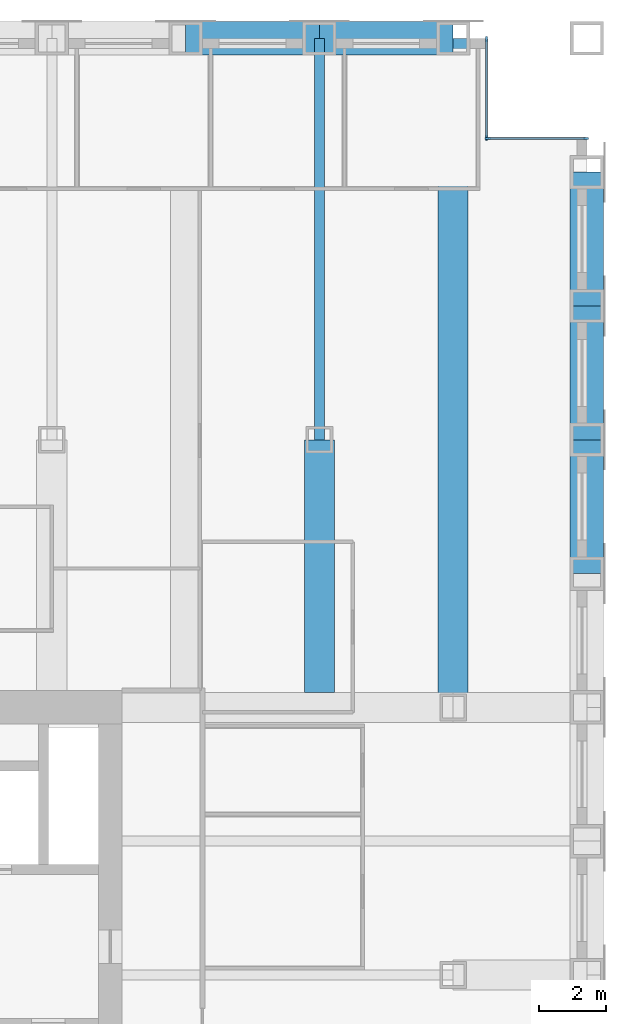
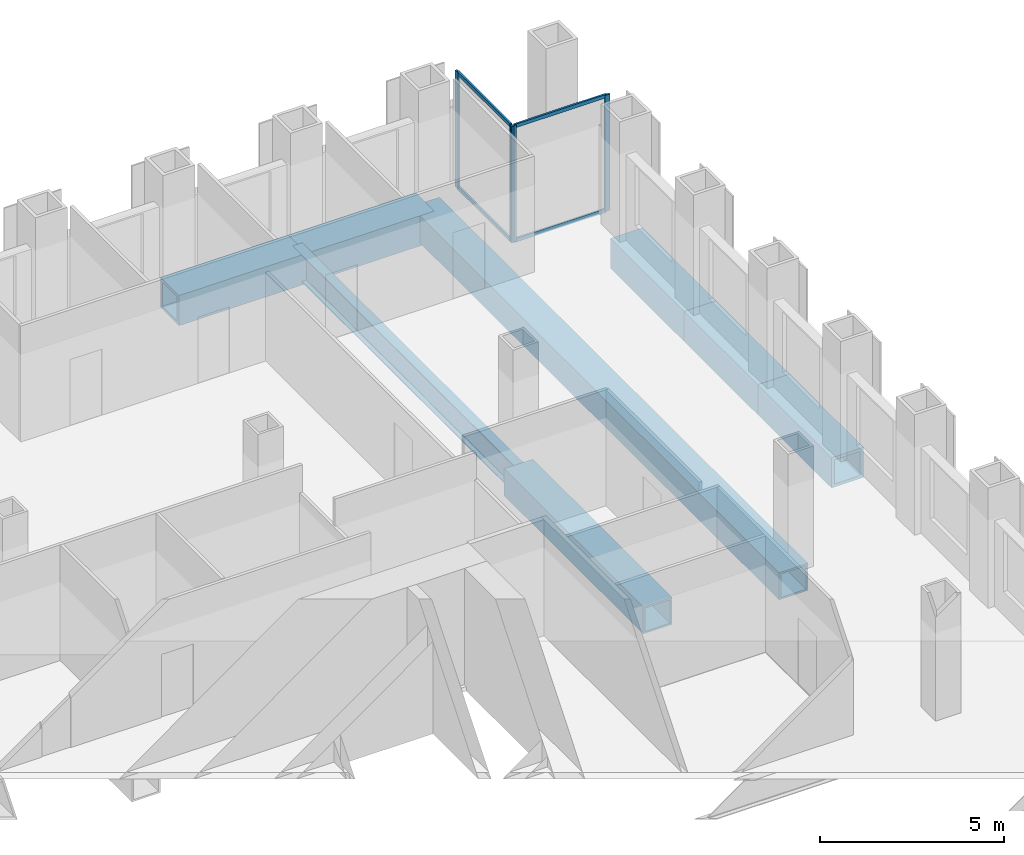
# One storey, part 7 of 13: 8 beams, 8 members, 2 elements without a shape of their own.
"""IFC4 building model written with IfcOpenShell, lengths in metres."""

from ifc_helpers import new_model, si_unit, direction, frame, origin, origin_2d, place, context, subcontext, project, spatial, rectangle, hollow_rectangle, i_section, extrude, material, material_profile, profile_set, type_object, element, aggregate, save


model = new_model("IFC4")

# Units and contexts
model_context = context("Model", 3, precision=1e-05, world=origin(), true_north=direction((0.0, 1.0)))
body_context = subcontext(model_context, "Body", "Model", "MODEL_VIEW")
ifc_project = project(units=[si_unit("LENGTHUNIT", "METRE"), si_unit("AREAUNIT", "SQUARE_METRE"), si_unit("VOLUMEUNIT", "CUBIC_METRE"), si_unit("PLANEANGLEUNIT", "RADIAN"), si_unit("MASSUNIT", "GRAM", prefix="KILO")], contexts=[model_context])

# Site, building, storey
site_placement = place(None, origin())
site = spatial("IfcSite", under=ifc_project, at=site_placement, CompositionType="ELEMENT")
building_placement = place(site_placement, origin())
building = spatial("IfcBuilding", under=site, at=building_placement, Name="Rimbunsela Tower", CompositionType="ELEMENT")
storey_placement = place(building_placement, frame((0.0, 0.0, 222.199951171875)))
storey = spatial("IfcBuildingStorey", under=building, at=storey_placement, Name="L53", CompositionType="ELEMENT", Elevation=222.199951171875)

# Beams
ifc_material_1 = material(Name="Steel BJ 55 (fy 410 MPa)", Category="steel")
ifc_material_profile_1 = material_profile(ifc_material_1, hollow_rectangle(XDim=1.0, YDim=1.0, WallThickness=0.10009765625, at=origin_2d()), Name="BOX 1000x1000x100")
ifc_profile_set_1 = profile_set([ifc_material_profile_1], Name="Steel BJ 55 (fy 410 MPa)")
beam_type_1 = type_object("IfcBeamType", Name="Beam BOX 1000x1000x100", PredefinedType="BEAM", material=ifc_profile_set_1)
for number, where, z_axis, x_axis, name in (
    (1, (38.0, 56.0, -0.64990234375), (1.0, 0.0, 0.0), (0.0, 1.0, 0.0), "Beam B3 L53"),
    (2, (42.0, 56.0, -0.64990234375), (1.0, 0.0, 0.0), (0.0, 1.0, 0.0), "Beam B3 L53"),
    (3, (50.0, 40.0, -0.64990234375), (0.0, 1.0, 0.0), (-1.0, 0.0, 0.0), "Beam B3 L53"),
    (4, (50.0, 44.0, -0.64990234375), (0.0, 1.0, 0.0), (-1.0, 0.0, 0.0), "Beam B3 L53"),
    (5, (50.0, 48.0, -0.64990234375), (0.0, 1.0, 0.0), (-1.0, 0.0, 0.0), "Beam B3 L53"),
):
    element("IfcBeam", number, at=place(storey_placement, frame(where, z_axis=z_axis, x_axis=x_axis)), inside=storey, type_object=beam_type_1, Name=name, PredefinedType="BEAM", context=body_context, shape_type="SweptSolid", body=[
        extrude(hollow_rectangle(XDim=1.0, YDim=1.0, WallThickness=0.10009765625, at=origin_2d()), origin(), (0.0, 0.0, 1.0), 4.0),
    ])
ifc_material_2 = material(Name="Steel BJ 55 (fy 410 MPa)", Category="steel")
ifc_material_profile_2 = material_profile(ifc_material_2, hollow_rectangle(XDim=0.89990234375, YDim=0.89990234375, WallThickness=0.06005859375, at=origin_2d()), Name="BOX 900x900x60")
ifc_profile_set_2 = profile_set([ifc_material_profile_2], Name="Steel BJ 55 (fy 410 MPa)")
beam_type_2 = type_object("IfcBeamType", Name="Beam BOX 900x900x60", PredefinedType="BEAM", material=ifc_profile_set_2)
beam_1_placement = place(storey_placement, frame((42.0, 36.449951171875, -0.599853515625), z_axis=(0.0, 1.0, 0.0), x_axis=(-1.0, 0.0, 0.0)))
element("IfcBeam", 6, at=beam_1_placement, inside=storey, type_object=beam_type_2, Name="Beam B1 L53", PredefinedType="BEAM", context=body_context, shape_type="SweptSolid", body=[
    extrude(hollow_rectangle(XDim=0.89990234375, YDim=0.89990234375, WallThickness=0.06005859375, at=origin_2d()), origin(), (0.0, 0.0, 1.0), 7.550048828125),
])
beam_2_placement = place(storey_placement, frame((46.0, 36.0, -0.599853515625), z_axis=(0.0, 1.0, 0.0), x_axis=(-1.0, 0.0, 0.0)))
element("IfcBeam", 7, at=beam_2_placement, inside=storey, type_object=beam_type_2, Name="Beam B1 L53", PredefinedType="BEAM", context=body_context, shape_type="SweptSolid", body=[
    extrude(hollow_rectangle(XDim=0.89990234375, YDim=0.89990234375, WallThickness=0.06005859375, at=origin_2d()), origin(), (0.0, 0.0, 1.0), 20.0),
])
ifc_material_3 = material(Name="Steel BJ 55 (fy 410 MPa)", Category="steel")
ifc_material_profile_3 = material_profile(ifc_material_3, i_section(OverallWidth=0.300048828125, OverallDepth=0.89990234375, WebThickness=0.01611328125, FlangeThickness=0.028076171875, FilletRadius=0.028076171875, at=origin_2d()), Name="H 900x300x16x28")
ifc_profile_set_3 = profile_set([ifc_material_profile_3], Name="Steel BJ 55 (fy 410 MPa)")
beam_type_3 = type_object("IfcBeamType", Name="Beam H 900x300x16x28", PredefinedType="BEAM", material=ifc_profile_set_3)
beam_3_placement = place(storey_placement, frame((42.0, 44.0, -0.599853515625), z_axis=(0.0, 1.0, 0.0), x_axis=(-1.0, 0.0, 0.0)))
element("IfcBeam", 8, at=beam_3_placement, inside=storey, type_object=beam_type_3, Name="Beam B2 L53", PredefinedType="BEAM", context=body_context, shape_type="SweptSolid", body=[
    extrude(i_section(OverallWidth=0.300048828125, OverallDepth=0.89990234375, WebThickness=0.01611328125, FlangeThickness=0.028076171875, FilletRadius=0.028076171875, at=origin_2d()), origin(), (0.0, 0.0, 1.0), 12.0),
])

# Curtain wall, members
ifc_material_4 = material(Name="Aluminium curtain wall", Category="aluminium")
curtain_wall_type = type_object("IfcCurtainWallType", Name="Corner glazing", PredefinedType="USERDEFINED", material=ifc_material_4)
curtain_wall_1_placement = place(storey_placement, origin())
curtain_wall_1 = element("IfcCurtainWall", 9, at=curtain_wall_1_placement, inside=storey, type_object=curtain_wall_type, Name="Corner glazing L53", ObjectType="CORNER GLAZING", PredefinedType="USERDEFINED")
ifc_material_5 = material(Name="Aluminium mullion", Category="aluminium")
ifc_material_profile_4 = material_profile(ifc_material_5, rectangle(XDim=0.06005859375, YDim=0.159912109375, at=origin_2d()), Name="Mullion 60x160")
ifc_profile_set_4 = profile_set([ifc_material_profile_4], Name="Aluminium mullion")
member_type_1 = type_object("IfcMemberType", Name="Curtain wall mullion 60x160", PredefinedType="MULLION", material=ifc_profile_set_4)
member_1_placement = place(storey_placement, frame((49.969970703125, 53.0, 0.0), z_axis=(0.0, 0.0, 1.0), x_axis=(0.0, -1.0, 0.0)))
member_1 = element("IfcMember", 10, at=member_1_placement, type_object=member_type_1, Name="CW5 mullion 1", PredefinedType="MULLION", context=body_context, shape_type="SweptSolid", body=[
    extrude(rectangle(XDim=0.06005859375, YDim=0.159912109375, at=origin_2d()), origin(), (0.0, 0.0, 1.0), 3.85009765625),
])
member_2_placement = place(storey_placement, frame((47.030029296875, 53.0, 0.0), z_axis=(0.0, 0.0, 1.0), x_axis=(0.0, -1.0, 0.0)))
member_2 = element("IfcMember", 11, at=member_2_placement, type_object=member_type_1, Name="CW5 mullion 2", PredefinedType="MULLION", context=body_context, shape_type="SweptSolid", body=[
    extrude(rectangle(XDim=0.06005859375, YDim=0.159912109375, at=origin_2d()), origin(), (0.0, 0.0, 1.0), 3.85009765625),
])

curtain_wall_2_placement = place(storey_placement, origin())
curtain_wall_2 = element("IfcCurtainWall", 12, at=curtain_wall_2_placement, inside=storey, type_object=curtain_wall_type, Name="Corner glazing L53", ObjectType="CORNER GLAZING", PredefinedType="USERDEFINED")
member_3_placement = place(storey_placement, frame((47.0, 53.030029296875, 0.0), z_axis=(0.0, 0.0, 1.0), x_axis=(-1.0, 0.0, 0.0)))
member_3 = element("IfcMember", 13, at=member_3_placement, type_object=member_type_1, Name="CW5 mullion 1", PredefinedType="MULLION", context=body_context, shape_type="SweptSolid", body=[
    extrude(rectangle(XDim=0.06005859375, YDim=0.159912109375, at=origin_2d()), origin(), (0.0, 0.0, 1.0), 3.85009765625),
])
member_4_placement = place(storey_placement, frame((47.0, 55.969970703125, 0.0), z_axis=(0.0, 0.0, 1.0), x_axis=(-1.0, 0.0, 0.0)))
member_4 = element("IfcMember", 14, at=member_4_placement, type_object=member_type_1, Name="CW5 mullion 2", PredefinedType="MULLION", context=body_context, shape_type="SweptSolid", body=[
    extrude(rectangle(XDim=0.06005859375, YDim=0.159912109375, at=origin_2d()), origin(), (0.0, 0.0, 1.0), 3.85009765625),
])

# Member
ifc_material_6 = material(Name="Aluminium transom", Category="aluminium")
ifc_material_profile_5 = material_profile(ifc_material_6, rectangle(XDim=0.06005859375, YDim=0.1201171875, at=origin_2d()), Name="Transom 60x120")
ifc_profile_set_5 = profile_set([ifc_material_profile_5], Name="Aluminium transom")
member_type_2 = type_object("IfcMemberType", Name="Curtain wall transom 60x120", PredefinedType="USERDEFINED", material=ifc_profile_set_5)
member_5_placement = place(storey_placement, frame((49.93994140625, 53.0, 0.030029296875), z_axis=(-1.0, 0.0, 0.0), x_axis=(0.0, -1.0, 0.0)))
member_5 = element("IfcMember", 15, at=member_5_placement, type_object=member_type_2, Name="CW5 transom 1.1", ObjectType="TRANSOM", PredefinedType="USERDEFINED", context=body_context, shape_type="SweptSolid", body=[
    extrude(rectangle(XDim=0.06005859375, YDim=0.1201171875, at=origin_2d()), origin(), (0.0, 0.0, 1.0), 2.8798828125),
])

member_6_placement = place(storey_placement, frame((49.93994140625, 53.0, 3.820068359375), z_axis=(-1.0, 0.0, 0.0), x_axis=(0.0, -1.0, 0.0)))
member_6 = element("IfcMember", 16, at=member_6_placement, type_object=member_type_2, Name="CW5 transom 1.2", ObjectType="TRANSOM", PredefinedType="USERDEFINED", context=body_context, shape_type="SweptSolid", body=[
    extrude(rectangle(XDim=0.06005859375, YDim=0.1201171875, at=origin_2d()), origin(), (0.0, 0.0, 1.0), 2.8798828125),
])

aggregate(curtain_wall_1, [member_1, member_2, member_5, member_6])

member_7_placement = place(storey_placement, frame((47.0, 53.06005859375, 0.030029296875), z_axis=(0.0, 1.0, 0.0), x_axis=(-1.0, 0.0, 0.0)))
member_7 = element("IfcMember", 17, at=member_7_placement, type_object=member_type_2, Name="CW5 transom 1.1", ObjectType="TRANSOM", PredefinedType="USERDEFINED", context=body_context, shape_type="SweptSolid", body=[
    extrude(rectangle(XDim=0.06005859375, YDim=0.1201171875, at=origin_2d()), origin(), (0.0, 0.0, 1.0), 2.8798828125),
])

member_8_placement = place(storey_placement, frame((47.0, 53.06005859375, 3.820068359375), z_axis=(0.0, 1.0, 0.0), x_axis=(-1.0, 0.0, 0.0)))
member_8 = element("IfcMember", 18, at=member_8_placement, type_object=member_type_2, Name="CW5 transom 1.2", ObjectType="TRANSOM", PredefinedType="USERDEFINED", context=body_context, shape_type="SweptSolid", body=[
    extrude(rectangle(XDim=0.06005859375, YDim=0.1201171875, at=origin_2d()), origin(), (0.0, 0.0, 1.0), 2.8798828125),
])

aggregate(curtain_wall_2, [member_3, member_4, member_7, member_8])

save(model, "model.ifc")
